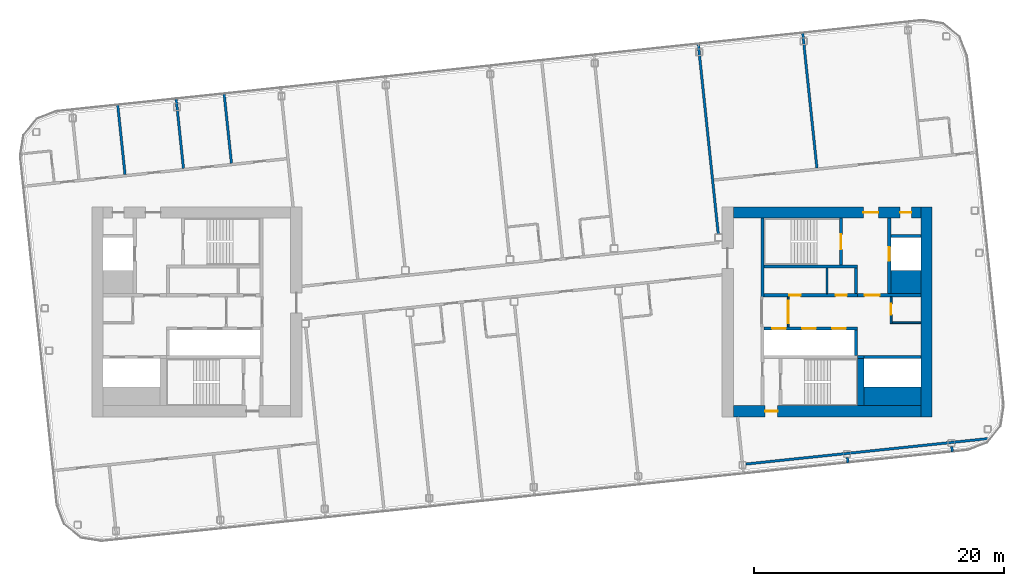
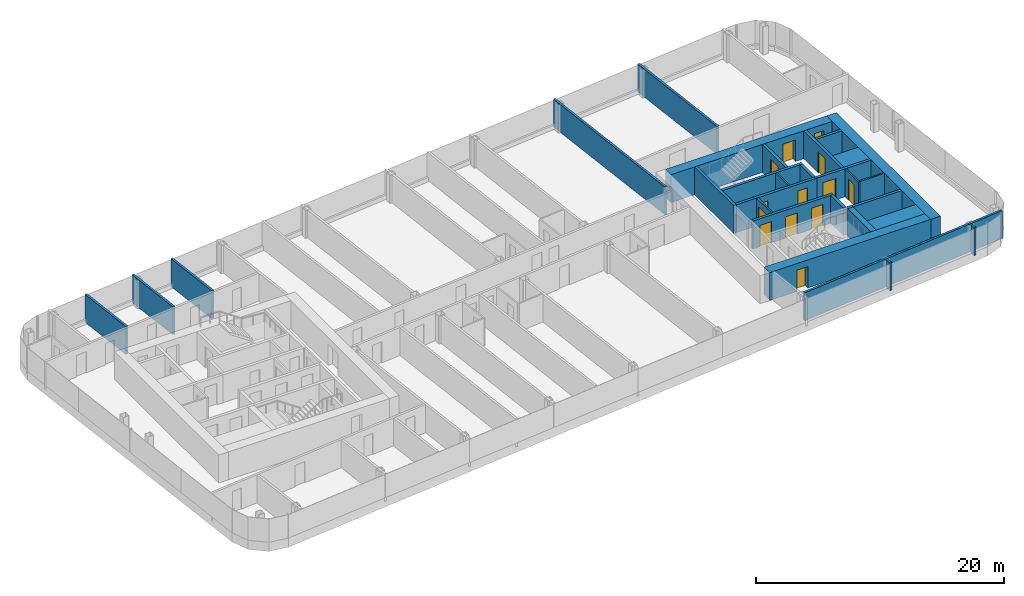
# One storey, part 17 of 27: 30 walls, 13 doors, 13 openings.
"""IFC4 building model written with IfcOpenShell, lengths in metres."""

from ifc_helpers import new_model, si_unit, direction, frame, frame_2d, origin, place, context, subcontext, project, spatial, rectangle, extrude, material, layer, layer_set, type_object, element, fill, save


model = new_model("IFC4")

# Units and contexts
model_context = context("Model", 3, precision=1e-05, world=origin(), true_north=direction((0.0, 1.0)))
body_context = subcontext(model_context, "Body", "Model", "MODEL_VIEW")
ifc_project = project(units=[si_unit("LENGTHUNIT", "METRE"), si_unit("AREAUNIT", "SQUARE_METRE"), si_unit("VOLUMEUNIT", "CUBIC_METRE"), si_unit("PLANEANGLEUNIT", "RADIAN"), si_unit("MASSUNIT", "GRAM", prefix="KILO")], contexts=[model_context])

# Site, building, storey
site_placement = place(None, origin())
site = spatial("IfcSite", under=ifc_project, at=site_placement, CompositionType="ELEMENT")
building_placement = place(site_placement, origin())
building = spatial("IfcBuilding", under=site, at=building_placement, Name="Hakoniwa Tower and Hamabe Station Hall", CompositionType="ELEMENT")
storey_placement = place(building_placement, frame((0.0, 0.0, 242.199951171875)))
storey = spatial("IfcBuildingStorey", under=building, at=storey_placement, Name="L68", CompositionType="ELEMENT", Elevation=242.199951171875)

# Wall, opening, door
ifc_material_1 = material(Name="Gypsum board partition")
ifc_layer_1 = layer(ifc_material_1, 0.14990234375)
ifc_layer_set_1 = layer_set([ifc_layer_1], Name="CORE PARTITION 150 EI 60")
wall_type_1 = type_object("IfcWallType", Name="CORE PARTITION 150 EI 60", PredefinedType="PARTITIONING", material=ifc_layer_set_1)
wall_1_placement = place(storey_placement, frame((22.10009765625, -1.199951171875, 0.0), z_axis=(0.0, 0.0, 1.0), x_axis=(0.0, 1.0, 0.0)))
wall_1 = element("IfcWall", 1, at=wall_1_placement, inside=storey, type_object=wall_type_1, Name="Core partition PL1 east", PredefinedType="PARTITIONING", context=body_context, shape_type="SweptSolid", body=[
    extrude(rectangle(XDim=2.39990234375, YDim=0.14990234375, at=frame_2d((1.199951171875, 0.0))), origin(), (0.0, 0.0, 1.0), 2.75),
])
opening_1_placement = place(wall_1_placement, frame((0.300048828125, 0.0, 0.0)))
opening_1 = element("IfcOpeningElement", 2, at=opening_1_placement, cuts=wall_1, Name="Opening CD-E-LP1-18", PredefinedType="OPENING", context=body_context, shape_type="SweptSolid", body=[
    extrude(rectangle(XDim=1.800048828125, YDim=2.10009765625, at=frame_2d((0.89990234375, 1.050048828125))), frame((0.0, 0.0849609375, 0.0), z_axis=(0.0, -1.0, 0.0), x_axis=(1.0, 0.0, 0.0)), (0.0, 0.0, 1.0), 0.169921875),
])
ifc_material_2 = material(Name="Steel fire door", Category="steel")
door_type_1 = type_object("IfcDoorType", Name="CORE DOOR 1800 FD60", OperationType="DOUBLE_DOOR_SINGLE_SWING", PredefinedType="DOOR", material=ifc_material_2)
door_1_placement = place(opening_1_placement, origin())
door_1 = element("IfcDoor", 3, at=door_1_placement, inside=storey, type_object=door_type_1, Name="Lift lobby partition door", OperationType="DOUBLE_DOOR_SINGLE_SWING", OverallHeight=2.10009765625, OverallWidth=1.800048828125, PredefinedType="DOOR", context=body_context, shape_type="SweptSolid", body=[
    extrude(rectangle(XDim=1.800048828125, YDim=2.10009765625, at=frame_2d((0.89990234375, 1.050048828125))), frame((0.0, 0.02490234375, 0.0), z_axis=(0.0, -1.0, 0.0), x_axis=(1.0, 0.0, 0.0)), (0.0, 0.0, 1.0), 0.050048828125),
])
fill(opening_1, door_1)

wall_2_placement = place(storey_placement, frame((30.324951171875, -0.949951171875, 0.0), z_axis=(0.0, 0.0, 1.0), x_axis=(0.0, 1.0, 0.0)))
wall_2 = element("IfcWall", 4, at=wall_2_placement, inside=storey, type_object=wall_type_1, Name="Core partition PW0 east", PredefinedType="PARTITIONING", context=body_context, shape_type="SweptSolid", body=[
    extrude(rectangle(XDim=2.14990234375, YDim=0.14990234375, at=frame_2d((1.074951171875, 0.0))), origin(), (0.0, 0.0, 1.0), 2.75),
])
opening_2_placement = place(wall_2_placement, frame((0.699951171875, 0.0, 0.0)))
opening_2 = element("IfcOpeningElement", 5, at=opening_2_placement, cuts=wall_2, Name="Opening CD-E-RM1-9", PredefinedType="OPENING", context=body_context, shape_type="SweptSolid", body=[
    extrude(rectangle(XDim=0.89990234375, YDim=2.10009765625, at=frame_2d((0.449951171875, 1.050048828125))), frame((0.0, 0.0849609375, 0.0), z_axis=(0.0, -1.0, 0.0), x_axis=(1.0, 0.0, 0.0)), (0.0, 0.0, 1.0), 0.169921875),
])
ifc_material_3 = material(Name="Steel fire door", Category="steel")
door_type_2 = type_object("IfcDoorType", Name="CORE DOOR 900 FD30", OperationType="NOTDEFINED", PredefinedType="DOOR", material=ifc_material_3)
door_2_placement = place(opening_2_placement, origin())
door_2 = element("IfcDoor", 6, at=door_2_placement, inside=storey, type_object=door_type_2, Name="Store room door", OperationType="SINGLE_SWING_RIGHT", OverallHeight=2.10009765625, OverallWidth=0.89990234375, PredefinedType="DOOR", context=body_context, shape_type="SweptSolid", body=[
    extrude(rectangle(XDim=0.89990234375, YDim=2.10009765625, at=frame_2d((0.449951171875, 1.050048828125))), frame((0.0, 0.02490234375, 0.0), z_axis=(0.0, -1.0, 0.0), x_axis=(1.0, 0.0, 0.0)), (0.0, 0.0, 1.0), 0.050048828125),
])
fill(opening_2, door_2)

# Walls
wall_3_placement = place(storey_placement, frame((30.39990234375, -0.875, 0.0), z_axis=(0.0, 0.0, 1.0), x_axis=(1.0, 0.0, 0.0)))
element("IfcWall", 7, at=wall_3_placement, inside=storey, type_object=wall_type_1, Name="Core partition PS east", PredefinedType="PARTITIONING", context=body_context, shape_type="SweptSolid", body=[
    extrude(rectangle(XDim=2.300048828125, YDim=0.14990234375, at=frame_2d((1.14990234375, 0.0))), origin(), (0.0, 0.0, 1.0), 2.75),
])
wall_4_placement = place(storey_placement, frame((25.199951171875, 1.449951171875, 0.0), z_axis=(0.0, 0.0, 1.0), x_axis=(0.0, 1.0, 0.0)))
element("IfcWall", 8, at=wall_4_placement, inside=storey, type_object=wall_type_1, Name="Core partition PFLR0 east", PredefinedType="PARTITIONING", context=body_context, shape_type="SweptSolid", body=[
    extrude(rectangle(XDim=2.050048828125, YDim=0.14990234375, at=frame_2d((1.02490234375, 0.0))), origin(), (0.0, 0.0, 1.0), 2.75),
])
ifc_material_4 = material(Name="Concrete C60", Category="concrete")
ifc_layer_2 = layer(ifc_material_4, 0.89990234375)
ifc_layer_set_2 = layer_set([ifc_layer_2], Name="CORE WALL 900 C60")
wall_type_2 = type_object("IfcWallType", Name="CORE WALL 900 C60", PredefinedType="SHEAR", material=ifc_layer_set_2)
wall_5_placement = place(storey_placement, frame((33.14990234375, -8.39990234375, 0.0), z_axis=(0.0, 0.0, 1.0), x_axis=(0.0, 1.0, 0.0)))
element("IfcWall", 9, at=wall_5_placement, inside=storey, type_object=wall_type_2, Name="Core wall OUTER east", PredefinedType="SHEAR", context=body_context, shape_type="SweptSolid", body=[
    extrude(rectangle(XDim=16.7998046875, YDim=0.89990234375, at=frame_2d((8.39990234375, 0.0))), origin(), (0.0, 0.0, 1.0), 2.75),
])

# Wall, openings, doors
wall_6_placement = place(storey_placement, frame((17.699951171875, 7.949951171875, 0.0), z_axis=(0.0, 0.0, 1.0), x_axis=(1.0, 0.0, 0.0)))
wall_6 = element("IfcWall", 10, at=wall_6_placement, inside=storey, type_object=wall_type_2, Name="Core wall NORTH east", PredefinedType="SHEAR", context=body_context, shape_type="SweptSolid", body=[
    extrude(rectangle(XDim=15.0, YDim=0.89990234375, at=frame_2d((7.5, 0.0))), origin(), (0.0, 0.0, 1.0), 2.75),
])
opening_3_placement = place(wall_6_placement, frame((10.39990234375, 0.0, 0.0)))
opening_3 = element("IfcOpeningElement", 11, at=opening_3_placement, cuts=wall_6, Name="Opening CD-E-FN1-12", PredefinedType="OPENING", context=body_context, shape_type="SweptSolid", body=[
    extrude(rectangle(XDim=1.199951171875, YDim=2.10009765625, at=frame_2d((0.60009765625, 1.050048828125))), frame((0.0, 0.4599609375, 0.0), z_axis=(0.0, -1.0, 0.0), x_axis=(1.0, 0.0, 0.0)), (0.0, 0.0, 1.0), 0.919921875),
])
opening_4_placement = place(wall_6_placement, frame((13.35009765625, 0.0, 0.0)))
opening_4 = element("IfcOpeningElement", 12, at=opening_4_placement, cuts=wall_6, Name="Opening CD-E-FN2-9", PredefinedType="OPENING", context=body_context, shape_type="SweptSolid", body=[
    extrude(rectangle(XDim=0.89990234375, YDim=2.10009765625, at=frame_2d((0.449951171875, 1.050048828125))), frame((0.0, 0.4599609375, 0.0), z_axis=(0.0, -1.0, 0.0), x_axis=(1.0, 0.0, 0.0)), (0.0, 0.0, 1.0), 0.919921875),
])
ifc_material_5 = material(Name="Steel fire door", Category="steel")
door_type_3 = type_object("IfcDoorType", Name="CORE DOOR 1200 FD60", OperationType="DOUBLE_DOOR_SINGLE_SWING", PredefinedType="DOOR", material=ifc_material_5)
door_3_placement = place(opening_3_placement, origin())
door_3 = element("IfcDoor", 13, at=door_3_placement, inside=storey, type_object=door_type_3, Name="Stair vestibule door to the fire-fighting lobby", OperationType="DOUBLE_DOOR_SINGLE_SWING", OverallHeight=2.10009765625, OverallWidth=1.199951171875, PredefinedType="DOOR", context=body_context, shape_type="SweptSolid", body=[
    extrude(rectangle(XDim=1.199951171875, YDim=2.10009765625, at=frame_2d((0.60009765625, 1.050048828125))), frame((0.0, 0.02490234375, 0.0), z_axis=(0.0, -1.0, 0.0), x_axis=(1.0, 0.0, 0.0)), (0.0, 0.0, 1.0), 0.050048828125),
])
fill(opening_3, door_3)
door_4_placement = place(opening_4_placement, origin())
door_4 = element("IfcDoor", 14, at=door_4_placement, inside=storey, type_object=door_type_2, Name="Riser access door", OperationType="SINGLE_SWING_LEFT", OverallHeight=2.10009765625, OverallWidth=0.89990234375, PredefinedType="DOOR", context=body_context, shape_type="SweptSolid", body=[
    extrude(rectangle(XDim=0.89990234375, YDim=2.10009765625, at=frame_2d((0.449951171875, 1.050048828125))), frame((0.0, 0.02490234375, 0.0), z_axis=(0.0, -1.0, 0.0), x_axis=(1.0, 0.0, 0.0)), (0.0, 0.0, 1.0), 0.050048828125),
])
fill(opening_4, door_4)

# Wall, opening, door
wall_7_placement = place(storey_placement, frame((17.699951171875, -7.949951171875, 0.0), z_axis=(0.0, 0.0, 1.0), x_axis=(1.0, 0.0, 0.0)))
wall_7 = element("IfcWall", 15, at=wall_7_placement, inside=storey, type_object=wall_type_2, Name="Core wall SOUTH east", PredefinedType="SHEAR", context=body_context, shape_type="SweptSolid", body=[
    extrude(rectangle(XDim=15.0, YDim=0.89990234375, at=frame_2d((7.5, 0.0))), origin(), (0.0, 0.0, 1.0), 2.75),
])
opening_5_placement = place(wall_7_placement, frame((2.550048828125, 0.0, 0.0)))
opening_5 = element("IfcOpeningElement", 16, at=opening_5_placement, cuts=wall_7, Name="Opening CD-E-FS3-10", PredefinedType="OPENING", context=body_context, shape_type="SweptSolid", body=[
    extrude(rectangle(XDim=1.0, YDim=2.10009765625, at=frame_2d((0.5, 1.050048828125))), frame((0.0, 0.4599609375, 0.0), z_axis=(0.0, -1.0, 0.0), x_axis=(1.0, 0.0, 0.0)), (0.0, 0.0, 1.0), 0.919921875),
])
ifc_material_6 = material(Name="Steel fire door", Category="steel")
door_type_4 = type_object("IfcDoorType", Name="CORE DOOR 1000 FD60", OperationType="NOTDEFINED", PredefinedType="DOOR", material=ifc_material_6)
door_5_placement = place(opening_5_placement, origin())
door_5 = element("IfcDoor", 17, at=door_5_placement, inside=storey, type_object=door_type_4, Name="Stair vestibule door", OperationType="SINGLE_SWING_RIGHT", OverallHeight=2.10009765625, OverallWidth=1.0, PredefinedType="DOOR", context=body_context, shape_type="SweptSolid", body=[
    extrude(rectangle(XDim=1.0, YDim=2.10009765625, at=frame_2d((0.5, 1.050048828125))), frame((0.0, 0.02490234375, 0.0), z_axis=(0.0, -1.0, 0.0), x_axis=(1.0, 0.0, 0.0)), (0.0, 0.0, 1.0), 0.050048828125),
])
fill(opening_5, door_5)

# Walls
ifc_material_7 = material(Name="Concrete C60", Category="concrete")
ifc_layer_3 = layer(ifc_material_7, 1.5)
ifc_layer_set_3 = layer_set([ifc_layer_3], Name="CORE WEB WALL 1500 C60")
wall_type_3 = type_object("IfcWallType", Name="CORE WEB WALL 1500 C60", PredefinedType="SHEAR", material=ifc_layer_set_3)
wall_8_placement = place(storey_placement, frame((28.14990234375, -6.75, 0.0), z_axis=(0.0, 0.0, 1.0), x_axis=(1.0, 0.0, 0.0)))
element("IfcWall", 18, at=wall_8_placement, inside=storey, type_object=wall_type_3, Name="Core wall SER east", PredefinedType="SHEAR", context=body_context, shape_type="SweptSolid", body=[
    extrude(rectangle(XDim=4.550048828125, YDim=1.5, at=frame_2d((2.27490234375, 0.0))), origin(), (0.0, 0.0, 1.0), 2.75),
])
ifc_material_8 = material(Name="Concrete C60", Category="concrete")
ifc_layer_4 = layer(ifc_material_8, 1.85009765625)
ifc_layer_set_4 = layer_set([ifc_layer_4], Name="CORE WEB WALL 1850 C60")
wall_type_4 = type_object("IfcWallType", Name="CORE WEB WALL 1850 C60", PredefinedType="SHEAR", material=ifc_layer_set_4)
wall_9_placement = place(storey_placement, frame((30.300048828125, 2.375, 0.0), z_axis=(0.0, 0.0, 1.0), x_axis=(1.0, 0.0, 0.0)))
element("IfcWall", 19, at=wall_9_placement, inside=storey, type_object=wall_type_4, Name="Core wall CA east", PredefinedType="SHEAR", context=body_context, shape_type="SweptSolid", body=[
    extrude(rectangle(XDim=2.39990234375, YDim=1.85009765625, at=frame_2d((1.199951171875, 0.0))), origin(), (0.0, 0.0, 1.0), 2.75),
])
ifc_material_9 = material(Name="Concrete C60", Category="concrete")
ifc_layer_5 = layer(ifc_material_9, 0.25)
ifc_layer_set_5 = layer_set([ifc_layer_5], Name="CORE WEB WALL 250 C60")
wall_type_5 = type_object("IfcWallType", Name="CORE WEB WALL 250 C60", PredefinedType="SHEAR", material=ifc_layer_set_5)
wall_10_placement = place(storey_placement, frame((20.02490234375, 1.199951171875, 0.0), z_axis=(0.0, 0.0, 1.0), x_axis=(0.0, 1.0, 0.0)))
element("IfcWall", 20, at=wall_10_placement, inside=storey, type_object=wall_type_5, Name="Core wall W1N east", PredefinedType="SHEAR", context=body_context, shape_type="SweptSolid", body=[
    extrude(rectangle(XDim=6.300048828125, YDim=0.25, at=frame_2d((3.14990234375, 0.0))), origin(), (0.0, 0.0, 1.0), 2.75),
])

# Wall, openings, doors
wall_11_placement = place(storey_placement, frame((20.14990234375, 1.324951171875, 0.0), z_axis=(0.0, 0.0, 1.0), x_axis=(1.0, 0.0, 0.0)))
wall_11 = element("IfcWall", 21, at=wall_11_placement, inside=storey, type_object=wall_type_5, Name="Core wall NF east", PredefinedType="SHEAR", context=body_context, shape_type="SweptSolid", body=[
    extrude(rectangle(XDim=7.5, YDim=0.25, at=frame_2d((3.75, 0.0))), origin(), (0.0, 0.0, 1.0), 2.75),
])
opening_6_placement = place(wall_11_placement, frame((2.03759765625, 0.0, 0.0)))
opening_6 = element("IfcOpeningElement", 22, at=opening_6_placement, cuts=wall_11, Name="Opening CD-E-FRLR0-9", PredefinedType="OPENING", context=body_context, shape_type="SweptSolid", body=[
    extrude(rectangle(XDim=0.89990234375, YDim=2.10009765625, at=frame_2d((0.449951171875, 1.050048828125))), frame((0.0, 0.135009765625, 0.0), z_axis=(0.0, -1.0, 0.0), x_axis=(1.0, 0.0, 0.0)), (0.0, 0.0, 1.0), 0.27001953125),
])
opening_7_placement = place(wall_11_placement, frame((5.737548828125, 0.0, 0.0)))
opening_7 = element("IfcOpeningElement", 23, at=opening_7_placement, cuts=wall_11, Name="Opening CD-E-FRLR1-9", PredefinedType="OPENING", context=body_context, shape_type="SweptSolid", body=[
    extrude(rectangle(XDim=0.89990234375, YDim=2.10009765625, at=frame_2d((0.449951171875, 1.050048828125))), frame((0.0, 0.135009765625, 0.0), z_axis=(0.0, -1.0, 0.0), x_axis=(1.0, 0.0, 0.0)), (0.0, 0.0, 1.0), 0.27001953125),
])
door_6_placement = place(opening_6_placement, origin())
door_6 = element("IfcDoor", 24, at=door_6_placement, inside=storey, type_object=door_type_2, Name="Store room door", OperationType="SINGLE_SWING_LEFT", OverallHeight=2.10009765625, OverallWidth=0.89990234375, PredefinedType="DOOR", context=body_context, shape_type="SweptSolid", body=[
    extrude(rectangle(XDim=0.89990234375, YDim=2.10009765625, at=frame_2d((0.449951171875, 1.050048828125))), frame((0.0, 0.02490234375, 0.0), z_axis=(0.0, -1.0, 0.0), x_axis=(1.0, 0.0, 0.0)), (0.0, 0.0, 1.0), 0.050048828125),
])
fill(opening_6, door_6)
door_7_placement = place(opening_7_placement, origin())
door_7 = element("IfcDoor", 25, at=door_7_placement, inside=storey, type_object=door_type_2, Name="Store room door", OperationType="SINGLE_SWING_RIGHT", OverallHeight=2.10009765625, OverallWidth=0.89990234375, PredefinedType="DOOR", context=body_context, shape_type="SweptSolid", body=[
    extrude(rectangle(XDim=0.89990234375, YDim=2.10009765625, at=frame_2d((0.449951171875, 1.050048828125))), frame((0.0, 0.02490234375, 0.0), z_axis=(0.0, -1.0, 0.0), x_axis=(1.0, 0.0, 0.0)), (0.0, 0.0, 1.0), 0.050048828125),
])
fill(opening_7, door_7)

# Walls
wall_12_placement = place(storey_placement, frame((27.52490234375, 1.449951171875, 0.0), z_axis=(0.0, 0.0, 1.0), x_axis=(0.0, 1.0, 0.0)))
element("IfcWall", 26, at=wall_12_placement, inside=storey, type_object=wall_type_5, Name="Core wall NE east", PredefinedType="SHEAR", context=body_context, shape_type="SweptSolid", body=[
    extrude(rectangle(XDim=2.050048828125, YDim=0.25, at=frame_2d((1.02490234375, 0.0))), origin(), (0.0, 0.0, 1.0), 2.75),
])
wall_13_placement = place(storey_placement, frame((20.14990234375, 3.625, 0.0), z_axis=(0.0, 0.0, 1.0), x_axis=(1.0, 0.0, 0.0)))
element("IfcWall", 27, at=wall_13_placement, inside=storey, type_object=wall_type_5, Name="Core wall NR east", PredefinedType="SHEAR", context=body_context, shape_type="SweptSolid", body=[
    extrude(rectangle(XDim=7.5, YDim=0.25, at=frame_2d((3.75, 0.0))), origin(), (0.0, 0.0, 1.0), 2.75),
])

# Wall, opening, door
wall_14_placement = place(storey_placement, frame((26.324951171875, 3.75, 0.0), z_axis=(0.0, 0.0, 1.0), x_axis=(0.0, 1.0, 0.0)))
wall_14 = element("IfcWall", 28, at=wall_14_placement, inside=storey, type_object=wall_type_5, Name="Core wall NSE east", PredefinedType="SHEAR", context=body_context, shape_type="SweptSolid", body=[
    extrude(rectangle(XDim=3.75, YDim=0.25, at=frame_2d((1.875, 0.0))), origin(), (0.0, 0.0, 1.0), 2.75),
])
opening_8_placement = place(wall_14_placement, frame((1.25, 0.0, 0.0)))
opening_8 = element("IfcOpeningElement", 29, at=opening_8_placement, cuts=wall_14, Name="Opening CD-E-SN-12", PredefinedType="OPENING", context=body_context, shape_type="SweptSolid", body=[
    extrude(rectangle(XDim=1.199951171875, YDim=2.10009765625, at=frame_2d((0.60009765625, 1.050048828125))), frame((0.0, 0.135009765625, 0.0), z_axis=(0.0, -1.0, 0.0), x_axis=(1.0, 0.0, 0.0)), (0.0, 0.0, 1.0), 0.27001953125),
])
door_8_placement = place(opening_8_placement, origin())
door_8 = element("IfcDoor", 30, at=door_8_placement, inside=storey, type_object=door_type_3, Name="Escape stair door", OperationType="DOUBLE_DOOR_SINGLE_SWING", OverallHeight=2.10009765625, OverallWidth=1.199951171875, PredefinedType="DOOR", context=body_context, shape_type="SweptSolid", body=[
    extrude(rectangle(XDim=1.199951171875, YDim=2.10009765625, at=frame_2d((0.60009765625, 1.050048828125))), frame((0.0, 0.02490234375, 0.0), z_axis=(0.0, -1.0, 0.0), x_axis=(1.0, 0.0, 0.0)), (0.0, 0.0, 1.0), 0.050048828125),
])
fill(opening_8, door_8)

wall_15_placement = place(storey_placement, frame((27.64990234375, 1.324951171875, 0.0), z_axis=(0.0, 0.0, 1.0), x_axis=(1.0, 0.0, 0.0)))
wall_15 = element("IfcWall", 31, at=wall_15_placement, inside=storey, type_object=wall_type_5, Name="Core wall ELN east", PredefinedType="SHEAR", context=body_context, shape_type="SweptSolid", body=[
    extrude(rectangle(XDim=5.050048828125, YDim=0.25, at=frame_2d((2.52490234375, 0.0))), origin(), (0.0, 0.0, 1.0), 2.75),
])
opening_9_placement = place(wall_15_placement, frame((0.550048828125, 0.0, 0.0)))
opening_9 = element("IfcOpeningElement", 32, at=opening_9_placement, cuts=wall_15, Name="Opening CD-E-FL-12", PredefinedType="OPENING", context=body_context, shape_type="SweptSolid", body=[
    extrude(rectangle(XDim=1.199951171875, YDim=2.10009765625, at=frame_2d((0.60009765625, 1.050048828125))), frame((0.0, 0.135009765625, 0.0), z_axis=(0.0, -1.0, 0.0), x_axis=(1.0, 0.0, 0.0)), (0.0, 0.0, 1.0), 0.27001953125),
])
door_9_placement = place(opening_9_placement, origin())
door_9 = element("IfcDoor", 33, at=door_9_placement, inside=storey, type_object=door_type_3, Name="Stair vestibule door to the fire-fighting lobby", OperationType="DOUBLE_DOOR_SINGLE_SWING", OverallHeight=2.10009765625, OverallWidth=1.199951171875, PredefinedType="DOOR", context=body_context, shape_type="SweptSolid", body=[
    extrude(rectangle(XDim=1.199951171875, YDim=2.10009765625, at=frame_2d((0.60009765625, 1.050048828125))), frame((0.0, 0.02490234375, 0.0), z_axis=(0.0, -1.0, 0.0), x_axis=(1.0, 0.0, 0.0)), (0.0, 0.0, 1.0), 0.050048828125),
])
fill(opening_9, door_9)

wall_16_placement = place(storey_placement, frame((30.175048828125, 1.449951171875, 0.0), z_axis=(0.0, 0.0, 1.0), x_axis=(0.0, 1.0, 0.0)))
wall_16 = element("IfcWall", 34, at=wall_16_placement, inside=storey, type_object=wall_type_5, Name="Core wall FFF east", PredefinedType="SHEAR", context=body_context, shape_type="SweptSolid", body=[
    extrude(rectangle(XDim=6.050048828125, YDim=0.25, at=frame_2d((3.02490234375, 0.0))), origin(), (0.0, 0.0, 1.0), 2.75),
])
opening_10_placement = place(wall_16_placement, frame((2.625, 0.0, 0.0)))
opening_10 = element("IfcOpeningElement", 35, at=opening_10_placement, cuts=wall_16, Name="Opening LD-FF2", PredefinedType="OPENING", context=body_context, shape_type="SweptSolid", body=[
    extrude(rectangle(XDim=1.10009765625, YDim=2.10009765625, at=frame_2d((0.550048828125, 1.050048828125))), frame((0.0, 0.135009765625, 0.0), z_axis=(0.0, -1.0, 0.0), x_axis=(1.0, 0.0, 0.0)), (0.0, 0.0, 1.0), 0.27001953125),
])
ifc_material_10 = material(Name="Stainless steel SUS304", Category="steel")
door_type_5 = type_object("IfcDoorType", Name="LIFT LANDING DOOR 1100 FD60", OperationType="DOUBLE_DOOR_SLIDING", PredefinedType="DOOR", material=ifc_material_10)
door_10_placement = place(opening_10_placement, origin())
door_10 = element("IfcDoor", 36, at=door_10_placement, inside=storey, type_object=door_type_5, Name="Lift landing door FF2 L68", OperationType="DOUBLE_DOOR_SLIDING", OverallHeight=2.10009765625, OverallWidth=1.10009765625, PredefinedType="DOOR", context=body_context, shape_type="SweptSolid", body=[
    extrude(rectangle(XDim=1.10009765625, YDim=2.10009765625, at=frame_2d((0.550048828125, 1.050048828125))), frame((0.0, 0.02490234375, 0.0), z_axis=(0.0, -1.0, 0.0), x_axis=(1.0, 0.0, 0.0)), (0.0, 0.0, 1.0), 0.050048828125),
])
fill(opening_10, door_10)

# Wall
wall_17_placement = place(storey_placement, frame((30.300048828125, 6.074951171875, 0.0), z_axis=(0.0, 0.0, 1.0), x_axis=(1.0, 0.0, 0.0)))
element("IfcWall", 37, at=wall_17_placement, inside=storey, type_object=wall_type_5, Name="Core wall C2 east", PredefinedType="SHEAR", context=body_context, shape_type="SweptSolid", body=[
    extrude(rectangle(XDim=2.39990234375, YDim=0.25, at=frame_2d((1.199951171875, 0.0))), origin(), (0.0, 0.0, 1.0), 2.75),
])

# Wall, openings, doors
wall_18_placement = place(storey_placement, frame((20.14990234375, -1.324951171875, 0.0), z_axis=(0.0, 0.0, 1.0), x_axis=(1.0, 0.0, 0.0)))
wall_18 = element("IfcWall", 38, at=wall_18_placement, inside=storey, type_object=wall_type_5, Name="Core wall SF east", PredefinedType="SHEAR", context=body_context, shape_type="SweptSolid", body=[
    extrude(rectangle(XDim=7.5, YDim=0.25, at=frame_2d((3.75, 0.0))), origin(), (0.0, 0.0, 1.0), 2.75),
])
opening_11_placement = place(wall_18_placement, frame((0.64990234375, 0.0, 0.0)))
opening_11 = element("IfcOpeningElement", 39, at=opening_11_placement, cuts=wall_18, Name="Opening LD-HR4", PredefinedType="OPENING", context=body_context, shape_type="SweptSolid", body=[
    extrude(rectangle(XDim=1.10009765625, YDim=2.10009765625, at=frame_2d((0.550048828125, 1.050048828125))), frame((0.0, 0.135009765625, 0.0), z_axis=(0.0, -1.0, 0.0), x_axis=(1.0, 0.0, 0.0)), (0.0, 0.0, 1.0), 0.27001953125),
])
opening_12_placement = place(wall_18_placement, frame((3.050048828125, 0.0, 0.0)))
opening_12 = element("IfcOpeningElement", 40, at=opening_12_placement, cuts=wall_18, Name="Opening LD-HR5", PredefinedType="OPENING", context=body_context, shape_type="SweptSolid", body=[
    extrude(rectangle(XDim=1.10009765625, YDim=2.10009765625, at=frame_2d((0.550048828125, 1.050048828125))), frame((0.0, 0.135009765625, 0.0), z_axis=(0.0, -1.0, 0.0), x_axis=(1.0, 0.0, 0.0)), (0.0, 0.0, 1.0), 0.27001953125),
])
opening_13_placement = place(wall_18_placement, frame((5.449951171875, 0.0, 0.0)))
opening_13 = element("IfcOpeningElement", 41, at=opening_13_placement, cuts=wall_18, Name="Opening LD-HR6", PredefinedType="OPENING", context=body_context, shape_type="SweptSolid", body=[
    extrude(rectangle(XDim=1.10009765625, YDim=2.10009765625, at=frame_2d((0.550048828125, 1.050048828125))), frame((0.0, 0.135009765625, 0.0), z_axis=(0.0, -1.0, 0.0), x_axis=(1.0, 0.0, 0.0)), (0.0, 0.0, 1.0), 0.27001953125),
])
door_11_placement = place(opening_11_placement, origin())
door_11 = element("IfcDoor", 42, at=door_11_placement, inside=storey, type_object=door_type_5, Name="Lift landing door HR4 L68", OperationType="DOUBLE_DOOR_SLIDING", OverallHeight=2.10009765625, OverallWidth=1.10009765625, PredefinedType="DOOR", context=body_context, shape_type="SweptSolid", body=[
    extrude(rectangle(XDim=1.10009765625, YDim=2.10009765625, at=frame_2d((0.550048828125, 1.050048828125))), frame((0.0, 0.02490234375, 0.0), z_axis=(0.0, -1.0, 0.0), x_axis=(1.0, 0.0, 0.0)), (0.0, 0.0, 1.0), 0.050048828125),
])
fill(opening_11, door_11)
door_12_placement = place(opening_12_placement, origin())
door_12 = element("IfcDoor", 43, at=door_12_placement, inside=storey, type_object=door_type_5, Name="Lift landing door HR5 L68", OperationType="DOUBLE_DOOR_SLIDING", OverallHeight=2.10009765625, OverallWidth=1.10009765625, PredefinedType="DOOR", context=body_context, shape_type="SweptSolid", body=[
    extrude(rectangle(XDim=1.10009765625, YDim=2.10009765625, at=frame_2d((0.550048828125, 1.050048828125))), frame((0.0, 0.02490234375, 0.0), z_axis=(0.0, -1.0, 0.0), x_axis=(1.0, 0.0, 0.0)), (0.0, 0.0, 1.0), 0.050048828125),
])
fill(opening_12, door_12)
door_13_placement = place(opening_13_placement, origin())
door_13 = element("IfcDoor", 44, at=door_13_placement, inside=storey, type_object=door_type_5, Name="Lift landing door HR6 L68", OperationType="DOUBLE_DOOR_SLIDING", OverallHeight=2.10009765625, OverallWidth=1.10009765625, PredefinedType="DOOR", context=body_context, shape_type="SweptSolid", body=[
    extrude(rectangle(XDim=1.10009765625, YDim=2.10009765625, at=frame_2d((0.550048828125, 1.050048828125))), frame((0.0, 0.02490234375, 0.0), z_axis=(0.0, -1.0, 0.0), x_axis=(1.0, 0.0, 0.0)), (0.0, 0.0, 1.0), 0.050048828125),
])
fill(opening_13, door_13)

# Walls
wall_19_placement = place(storey_placement, frame((27.52490234375, -3.5, 0.0), z_axis=(0.0, 0.0, 1.0), x_axis=(0.0, 1.0, 0.0)))
element("IfcWall", 45, at=wall_19_placement, inside=storey, type_object=wall_type_5, Name="Core wall SE east", PredefinedType="SHEAR", context=body_context, shape_type="SweptSolid", body=[
    extrude(rectangle(XDim=2.050048828125, YDim=0.25, at=frame_2d((1.02490234375, 0.0))), origin(), (0.0, 0.0, 1.0), 2.75),
])
wall_20_placement = place(storey_placement, frame((28.14990234375, -3.625, 0.0), z_axis=(0.0, 0.0, 1.0), x_axis=(1.0, 0.0, 0.0)))
element("IfcWall", 46, at=wall_20_placement, inside=storey, type_object=wall_type_5, Name="Core wall SEF east", PredefinedType="SHEAR", context=body_context, shape_type="SweptSolid", body=[
    extrude(rectangle(XDim=4.550048828125, YDim=0.25, at=frame_2d((2.27490234375, 0.0))), origin(), (0.0, 0.0, 1.0), 2.75),
])
wall_21_placement = place(storey_placement, frame((27.64990234375, -3.625, 0.0), z_axis=(0.0, 0.0, 1.0), x_axis=(1.0, 0.0, 0.0)))
element("IfcWall", 47, at=wall_21_placement, inside=storey, type_object=wall_type_5, Name="Core wall SRK east", PredefinedType="SHEAR", context=body_context, shape_type="SweptSolid", body=[
    extrude(rectangle(XDim=0.5, YDim=0.25, at=frame_2d((0.25, 0.0))), origin(), (0.0, 0.0, 1.0), 2.75),
])
ifc_material_11 = material(Name="Concrete C60", Category="concrete")
ifc_layer_6 = layer(ifc_material_11, 0.5)
ifc_layer_set_6 = layer_set([ifc_layer_6], Name="CORE WEB WALL 500 C60")
wall_type_6 = type_object("IfcWallType", Name="CORE WEB WALL 500 C60", PredefinedType="SHEAR", material=ifc_layer_set_6)
wall_22_placement = place(storey_placement, frame((27.89990234375, -7.5, 0.0), z_axis=(0.0, 0.0, 1.0), x_axis=(0.0, 1.0, 0.0)))
element("IfcWall", 48, at=wall_22_placement, inside=storey, type_object=wall_type_6, Name="Core wall SSE east", PredefinedType="SHEAR", context=body_context, shape_type="SweptSolid", body=[
    extrude(rectangle(XDim=3.75, YDim=0.5, at=frame_2d((1.875, 0.0))), origin(), (0.0, 0.0, 1.0), 2.75),
])
ifc_material_12 = material(Name="Fire-rated gypsum board partition", Category="gypsum")
ifc_layer_7 = layer(ifc_material_12, 0.199951171875)
ifc_layer_set_7 = layer_set([ifc_layer_7], Name="Corridor Wall 200")
wall_type_7 = type_object("IfcWallType", Name="Corridor Wall 200", PredefinedType="PARTITIONING", material=ifc_layer_set_7)
wall_23_placement = place(storey_placement, frame((18.708251953125, -12.17724609375, 0.0), z_axis=(0.0, 0.0, 1.0), x_axis=(0.994521604238, 0.104531233147, 0.0)))
element("IfcWall", 49, at=wall_23_placement, inside=storey, type_object=wall_type_7, Name="GW-L68-001", PredefinedType="PARTITIONING", context=body_context, shape_type="SweptSolid", body=[
    extrude(rectangle(XDim=19.6982421875, YDim=0.199951171875, at=frame_2d((9.84912109375, 0.0))), origin(), (0.0, 0.0, 1.0), 2.75),
])
ifc_material_13 = material(Name="Fire-rated gypsum board partition", Category="gypsum")
ifc_layer_8 = layer(ifc_material_13, 0.199951171875)
ifc_layer_set_8 = layer_set([ifc_layer_8], Name="Party Wall 200")
wall_type_8 = type_object("IfcWallType", Name="Party Wall 200", PredefinedType="PARTITIONING", material=ifc_layer_set_8)
for number, where, z_axis, x_axis, name in (
    (50, (-30.95703125, 10.990478515625, 0.0), (0.0, 0.0, 1.0), (-0.104517448482, 0.994523053007, 0.0), "GW-L68-017"),
    (51, (-26.28271484375, 11.481689453125, 0.0), (0.0, 0.0, 1.0), (-0.104560413987, 0.994518536693, 0.0), "GW-L68-019"),
    (52, (-22.44384765625, 11.88525390625, 0.0), (0.0, 0.0, 1.0), (-0.104560413987, 0.994518536693, 0.0), "GW-L68-020"),
):
    element("IfcWall", number, at=place(storey_placement, frame(where, z_axis=z_axis, x_axis=x_axis)), inside=storey, type_object=wall_type_8, Name=name, PredefinedType="PARTITIONING", context=body_context, shape_type="SweptSolid", body=[
        extrude(rectangle(XDim=5.6201171875, YDim=0.199951171875, at=frame_2d((2.81005859375, 0.0))), origin(), (0.0, 0.0, 1.0), 2.75),
    ])
wall_24_placement = place(storey_placement, frame((16.499755859375, 6.23681640625, 0.0), z_axis=(0.0, 0.0, 1.0), x_axis=(-0.104523729364, 0.99452239291, 0.0)))
element("IfcWall", 53, at=wall_24_placement, inside=storey, type_object=wall_type_8, Name="GW-L68-040", PredefinedType="PARTITIONING", context=body_context, shape_type="SweptSolid", body=[
    extrude(rectangle(XDim=15.308349609375, YDim=0.199951171875, at=frame_2d((7.654296875, 0.0))), origin(), (0.0, 0.0, 1.0), 2.75),
])
wall_25_placement = place(storey_placement, frame((26.870361328125, -12.071044921875, 0.0), z_axis=(0.0, 0.0, 1.0), x_axis=(-0.104743412259, 0.994499279833, 0.0)))
element("IfcWall", 54, at=wall_25_placement, inside=storey, type_object=wall_type_8, Name="GW-L68-041", PredefinedType="PARTITIONING", context=body_context, shape_type="SweptSolid", body=[
    extrude(rectangle(XDim=0.43359375, YDim=0.199951171875, at=frame_2d((0.216796875, 0.0))), origin(), (0.0, 0.0, 1.0), 2.75),
])
wall_26_placement = place(storey_placement, frame((24.391845703125, 11.510498046875, 0.0), z_axis=(0.0, 0.0, 1.0), x_axis=(-0.104530717431, 0.994521658444, 0.0)))
element("IfcWall", 55, at=wall_26_placement, inside=storey, type_object=wall_type_8, Name="GW-L68-042", PredefinedType="PARTITIONING", context=body_context, shape_type="SweptSolid", body=[
    extrude(rectangle(XDim=10.888427734375, YDim=0.199951171875, at=frame_2d((5.4443359375, 0.0))), origin(), (0.0, 0.0, 1.0), 2.75),
])
wall_27_placement = place(storey_placement, frame((35.224365234375, -11.193115234375, 0.0), z_axis=(0.0, 0.0, 1.0), x_axis=(-0.104743412259, 0.994499279833, 0.0)))
element("IfcWall", 56, at=wall_27_placement, inside=storey, type_object=wall_type_8, Name="GW-L68-043", PredefinedType="PARTITIONING", context=body_context, shape_type="SweptSolid", body=[
    extrude(rectangle(XDim=0.43359375, YDim=0.199951171875, at=frame_2d((0.216796875, 0.0))), origin(), (0.0, 0.0, 1.0), 2.75),
])

save(model, "model.ifc")
